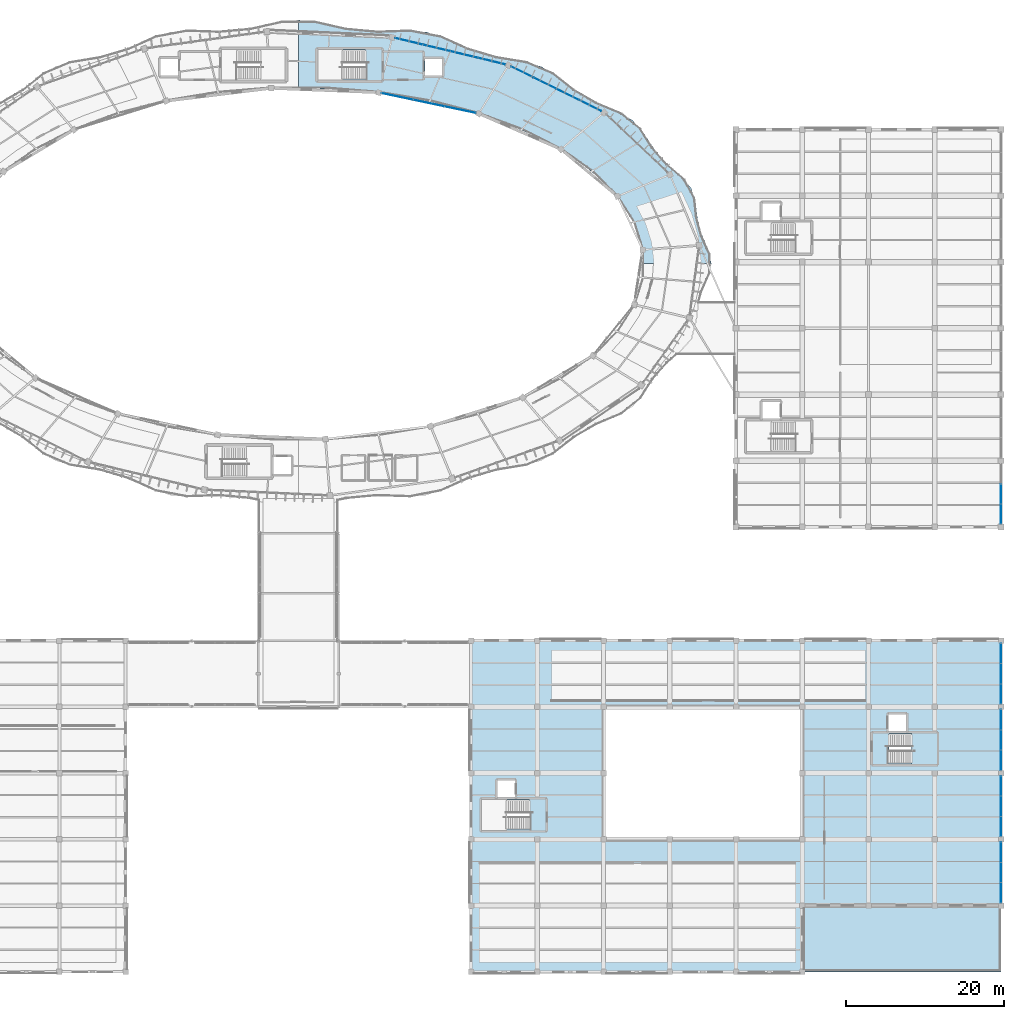
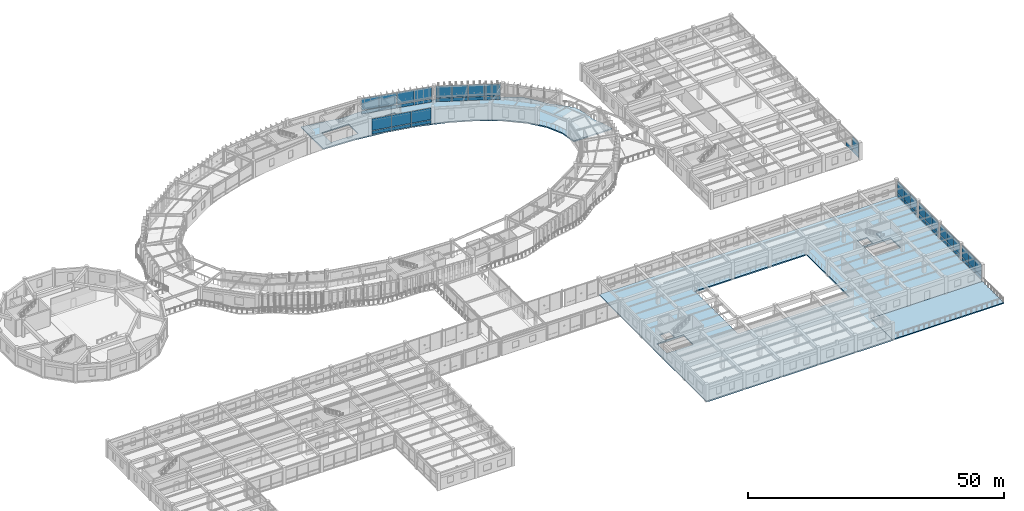
# One storey, part 115 of 152: 49 plates, 4 slabs, 9 elements without a shape of their own.
"""IFC4 building model written with IfcOpenShell, lengths in metres."""

from ifc_helpers import new_model, si_unit, direction, frame, origin, origin_2d, place, context, subcontext, project, spatial, polyline, rectangle, outline, extrude, material, layer, layer_set, type_object, element, aggregate, save


model = new_model("IFC4")

# Units and contexts
model_context = context("Model", 3, precision=1e-05, world=origin(), true_north=direction((0.0, 1.0)))
body_context = subcontext(model_context, "Body", "Model", "MODEL_VIEW")
ifc_project = project(units=[si_unit("LENGTHUNIT", "METRE"), si_unit("AREAUNIT", "SQUARE_METRE"), si_unit("VOLUMEUNIT", "CUBIC_METRE"), si_unit("PLANEANGLEUNIT", "RADIAN"), si_unit("MASSUNIT", "GRAM", prefix="KILO"), si_unit("THERMODYNAMICTEMPERATUREUNIT", "KELVIN"), si_unit("POWERUNIT", "WATT")], contexts=[model_context])

# Site, building, storey
site_placement = place(None, origin())
site = spatial("IfcSite", under=ifc_project, at=site_placement, CompositionType="ELEMENT")
building_placement = place(site_placement, origin())
building = spatial("IfcBuilding", under=site, at=building_placement, Name="Darbajah Civic Hall", CompositionType="ELEMENT")
storey_placement = place(building_placement, frame((0.0, 0.0, 5.39990234375)))
storey = spatial("IfcBuildingStorey", under=building, at=storey_placement, Name="L01", CompositionType="ELEMENT", Elevation=5.39990234375)

# Curtain wall, plates
ifc_material_1 = material(Name="Anodised Bronze Aluminium and Low-E Glazing", Category="aluminium")
curtain_wall_type_1 = type_object("IfcCurtainWallType", Name="Unitised Curtain Wall CW-20 12800x3900", PredefinedType="USERDEFINED", material=ifc_material_1)
curtain_wall_1_placement = place(storey_placement, origin())
curtain_wall_1 = element("IfcCurtainWall", 1, at=curtain_wall_1_placement, inside=storey, type_object=curtain_wall_type_1, Name="L01 unitised curtain wall CW-V1O-L01-02", ObjectType="UNITISED CURTAIN WALL", PredefinedType="USERDEFINED")
ifc_material_2 = material(Name="Low-E Solar Control Double Glazing", Category="glass")
ifc_layer_1 = layer(ifc_material_2, 0.02392578125, Name="Low-E Solar Control Double Glazing")
ifc_layer_set_1 = layer_set([ifc_layer_1], Name="Low-E Solar Control Double Glazing")
plate_type_1 = type_object("IfcPlateType", Name="Solar Double Glazing 24mm", PredefinedType="CURTAIN_PANEL", material=ifc_layer_set_1)
plate_1_placement = place(storey_placement, frame((126.110595703125, 109.833251953125, 0.10009765625), z_axis=(0.0, 0.0, 1.0), x_axis=(-0.89656374724, 0.442914717678, 0.0)))
plate_1 = element("IfcPlate", 2, at=plate_1_placement, type_object=plate_type_1, Name="CW-V1O-L01-02 glazed panel 1.1", PredefinedType="CURTAIN_PANEL", context=body_context, shape_type="SweptSolid", body=[
    extrude(rectangle(XDim=3.1298828125, YDim=0.02392578125, at=origin_2d()), origin(), (0.0, 0.0, 1.0), 0.800048828125),
])
plate_2_placement = place(storey_placement, frame((126.110595703125, 109.833251953125, 1.0), z_axis=(0.0, 0.0, 1.0), x_axis=(-0.89656374724, 0.442914717678, 0.0)))
plate_2 = element("IfcPlate", 3, at=plate_2_placement, type_object=plate_type_1, Name="CW-V1O-L01-02 glazed panel 1.2", PredefinedType="CURTAIN_PANEL", context=body_context, shape_type="SweptSolid", body=[
    extrude(rectangle(XDim=3.1298828125, YDim=0.02392578125, at=origin_2d()), origin(), (0.0, 0.0, 1.0), 2.820068359375),
])
plate_3_placement = place(storey_placement, frame((123.24609375, 111.248291015625, 0.10009765625), z_axis=(0.0, 0.0, 1.0), x_axis=(-0.89656374724, 0.442914717678, 0.0)))
plate_3 = element("IfcPlate", 4, at=plate_3_placement, type_object=plate_type_1, Name="CW-V1O-L01-02 glazed panel 2.1", PredefinedType="CURTAIN_PANEL", context=body_context, shape_type="SweptSolid", body=[
    extrude(rectangle(XDim=3.1298828125, YDim=0.02392578125, at=origin_2d()), origin(), (0.0, 0.0, 1.0), 0.800048828125),
])
plate_4_placement = place(storey_placement, frame((123.24609375, 111.248291015625, 1.0), z_axis=(0.0, 0.0, 1.0), x_axis=(-0.89656374724, 0.442914717678, 0.0)))
plate_4 = element("IfcPlate", 5, at=plate_4_placement, type_object=plate_type_1, Name="CW-V1O-L01-02 glazed panel 2.2", PredefinedType="CURTAIN_PANEL", context=body_context, shape_type="SweptSolid", body=[
    extrude(rectangle(XDim=3.1298828125, YDim=0.02392578125, at=origin_2d()), origin(), (0.0, 0.0, 1.0), 2.820068359375),
])
plate_5_placement = place(storey_placement, frame((120.3818359375, 112.663330078125, 0.10009765625), z_axis=(0.0, 0.0, 1.0), x_axis=(-0.89656374724, 0.442914717678, 0.0)))
plate_5 = element("IfcPlate", 6, at=plate_5_placement, type_object=plate_type_1, Name="CW-V1O-L01-02 glazed panel 3.1", PredefinedType="CURTAIN_PANEL", context=body_context, shape_type="SweptSolid", body=[
    extrude(rectangle(XDim=3.1298828125, YDim=0.02392578125, at=origin_2d()), origin(), (0.0, 0.0, 1.0), 0.800048828125),
])
plate_6_placement = place(storey_placement, frame((120.3818359375, 112.663330078125, 1.0), z_axis=(0.0, 0.0, 1.0), x_axis=(-0.89656374724, 0.442914717678, 0.0)))
plate_6 = element("IfcPlate", 7, at=plate_6_placement, type_object=plate_type_1, Name="CW-V1O-L01-02 glazed panel 3.2", PredefinedType="CURTAIN_PANEL", context=body_context, shape_type="SweptSolid", body=[
    extrude(rectangle(XDim=3.1298828125, YDim=0.02392578125, at=origin_2d()), origin(), (0.0, 0.0, 1.0), 2.820068359375),
])
plate_7_placement = place(storey_placement, frame((117.517578125, 114.078369140625, 0.10009765625), z_axis=(0.0, 0.0, 1.0), x_axis=(-0.89656374724, 0.442914717678, 0.0)))
plate_7 = element("IfcPlate", 8, at=plate_7_placement, type_object=plate_type_1, Name="CW-V1O-L01-02 glazed panel 4.1", PredefinedType="CURTAIN_PANEL", context=body_context, shape_type="SweptSolid", body=[
    extrude(rectangle(XDim=3.1298828125, YDim=0.02392578125, at=origin_2d()), origin(), (0.0, 0.0, 1.0), 0.800048828125),
])
plate_8_placement = place(storey_placement, frame((117.517578125, 114.078369140625, 1.0), z_axis=(0.0, 0.0, 1.0), x_axis=(-0.89656374724, 0.442914717678, 0.0)))
plate_8 = element("IfcPlate", 9, at=plate_8_placement, type_object=plate_type_1, Name="CW-V1O-L01-02 glazed panel 4.2", PredefinedType="CURTAIN_PANEL", context=body_context, shape_type="SweptSolid", body=[
    extrude(rectangle(XDim=3.1298828125, YDim=0.02392578125, at=origin_2d()), origin(), (0.0, 0.0, 1.0), 2.820068359375),
])
aggregate(curtain_wall_1, [plate_1, plate_2, plate_3, plate_4, plate_5, plate_6, plate_7, plate_8])

curtain_wall_type_2 = type_object("IfcCurtainWallType", Name="Unitised Curtain Wall CW-22 12200x3900", PredefinedType="USERDEFINED", material=ifc_material_1)
curtain_wall_2_placement = place(storey_placement, origin())
curtain_wall_2 = element("IfcCurtainWall", 10, at=curtain_wall_2_placement, inside=storey, type_object=curtain_wall_type_2, Name="L01 unitised curtain wall CW-V1I-L01-03", ObjectType="UNITISED CURTAIN WALL", PredefinedType="USERDEFINED")
ifc_layer_2 = layer(ifc_material_2, 0.028076171875, Name="Low-E Solar Control Double Glazing")
ifc_layer_set_2 = layer_set([ifc_layer_2], Name="Low-E Solar Control Double Glazing")
plate_type_2 = type_object("IfcPlateType", Name="Solar Double Glazing 28mm", PredefinedType="CURTAIN_PANEL", material=ifc_layer_set_2)
plate_9_placement = place(storey_placement, frame((109.645751953125, 109.30712890625, 0.1201171875), z_axis=(0.0, 0.0, 1.0), x_axis=(-0.978472980779, 0.206374964291, 0.0)))
plate_9 = element("IfcPlate", 11, at=plate_9_placement, type_object=plate_type_2, Name="CW-V1I-L01-03 glazed panel 1.1", PredefinedType="CURTAIN_PANEL", context=body_context, shape_type="SweptSolid", body=[
    extrude(rectangle(XDim=4.00830078125, YDim=0.028076171875, at=origin_2d()), origin(), (0.0, 0.0, 1.0), 0.77001953125),
])
plate_10_placement = place(storey_placement, frame((109.645751953125, 109.30712890625, 1.010009765625), z_axis=(0.0, 0.0, 1.0), x_axis=(-0.978472980779, 0.206374964291, 0.0)))
plate_10 = element("IfcPlate", 12, at=plate_10_placement, type_object=plate_type_2, Name="CW-V1I-L01-03 glazed panel 1.2", PredefinedType="CURTAIN_PANEL", context=body_context, shape_type="SweptSolid", body=[
    extrude(rectangle(XDim=4.00830078125, YDim=0.028076171875, at=origin_2d()), origin(), (0.0, 0.0, 1.0), 2.7900390625),
])
plate_11_placement = place(storey_placement, frame((105.6552734375, 110.148681640625, 0.1201171875), z_axis=(0.0, 0.0, 1.0), x_axis=(-0.978472980779, 0.206374964291, 0.0)))
plate_11 = element("IfcPlate", 13, at=plate_11_placement, type_object=plate_type_2, Name="CW-V1I-L01-03 glazed panel 2.1", PredefinedType="CURTAIN_PANEL", context=body_context, shape_type="SweptSolid", body=[
    extrude(rectangle(XDim=4.00830078125, YDim=0.028076171875, at=origin_2d()), origin(), (0.0, 0.0, 1.0), 0.77001953125),
])
plate_12_placement = place(storey_placement, frame((105.6552734375, 110.148681640625, 1.010009765625), z_axis=(0.0, 0.0, 1.0), x_axis=(-0.978472980779, 0.206374964291, 0.0)))
plate_12 = element("IfcPlate", 14, at=plate_12_placement, type_object=plate_type_2, Name="CW-V1I-L01-03 glazed panel 2.2", PredefinedType="CURTAIN_PANEL", context=body_context, shape_type="SweptSolid", body=[
    extrude(rectangle(XDim=4.00830078125, YDim=0.028076171875, at=origin_2d()), origin(), (0.0, 0.0, 1.0), 2.7900390625),
])
plate_13_placement = place(storey_placement, frame((101.66455078125, 110.990478515625, 0.1201171875), z_axis=(0.0, 0.0, 1.0), x_axis=(-0.978472980779, 0.206374964291, 0.0)))
plate_13 = element("IfcPlate", 15, at=plate_13_placement, type_object=plate_type_2, Name="CW-V1I-L01-03 glazed panel 3.1", PredefinedType="CURTAIN_PANEL", context=body_context, shape_type="SweptSolid", body=[
    extrude(rectangle(XDim=4.00830078125, YDim=0.028076171875, at=origin_2d()), origin(), (0.0, 0.0, 1.0), 0.77001953125),
])
plate_14_placement = place(storey_placement, frame((101.66455078125, 110.990478515625, 1.010009765625), z_axis=(0.0, 0.0, 1.0), x_axis=(-0.978472980779, 0.206374964291, 0.0)))
plate_14 = element("IfcPlate", 16, at=plate_14_placement, type_object=plate_type_2, Name="CW-V1I-L01-03 glazed panel 3.2", PredefinedType="CURTAIN_PANEL", context=body_context, shape_type="SweptSolid", body=[
    extrude(rectangle(XDim=4.00830078125, YDim=0.028076171875, at=origin_2d()), origin(), (0.0, 0.0, 1.0), 2.7900390625),
])
aggregate(curtain_wall_2, [plate_9, plate_10, plate_11, plate_12, plate_13, plate_14])

curtain_wall_type_3 = type_object("IfcCurtainWallType", Name="Unitised Curtain Wall CW-21 14400x3900", PredefinedType="USERDEFINED", material=ifc_material_1)
curtain_wall_3_placement = place(storey_placement, origin())
curtain_wall_3 = element("IfcCurtainWall", 17, at=curtain_wall_3_placement, inside=storey, type_object=curtain_wall_type_3, Name="L01 unitised curtain wall CW-V1O-L01-03", ObjectType="UNITISED CURTAIN WALL", PredefinedType="USERDEFINED")
ifc_layer_3 = layer(ifc_material_2, 0.031982421875, Name="Low-E Solar Control Double Glazing")
ifc_layer_set_3 = layer_set([ifc_layer_3], Name="Low-E Solar Control Double Glazing")
plate_type_3 = type_object("IfcPlateType", Name="Solar Double Glazing 32mm", PredefinedType="CURTAIN_PANEL", material=ifc_layer_set_3)
plate_15_placement = place(storey_placement, frame((113.629638671875, 115.460205078125, 0.14013671875), z_axis=(0.0, 0.0, 1.0), x_axis=(-0.972492018808, 0.232936200179, 0.0)))
plate_15 = element("IfcPlate", 18, at=plate_15_placement, type_object=plate_type_3, Name="CW-V1O-L01-03 glazed panel 1.1", PredefinedType="CURTAIN_PANEL", context=body_context, shape_type="SweptSolid", body=[
    extrude(rectangle(XDim=3.526123046875, YDim=0.031982421875, at=origin_2d()), origin(), (0.0, 0.0, 1.0), 0.739990234375),
])
plate_16_placement = place(storey_placement, frame((113.629638671875, 115.460205078125, 1.02001953125), z_axis=(0.0, 0.0, 1.0), x_axis=(-0.972492018808, 0.232936200179, 0.0)))
plate_16 = element("IfcPlate", 19, at=plate_16_placement, type_object=plate_type_3, Name="CW-V1O-L01-03 glazed panel 1.2", PredefinedType="CURTAIN_PANEL", context=body_context, shape_type="SweptSolid", body=[
    extrude(rectangle(XDim=3.526123046875, YDim=0.031982421875, at=origin_2d()), origin(), (0.0, 0.0, 1.0), 2.760009765625),
])
plate_17_placement = place(storey_placement, frame((110.127685546875, 116.29931640625, 0.14013671875), z_axis=(0.0, 0.0, 1.0), x_axis=(-0.972492018808, 0.232936200179, 0.0)))
plate_17 = element("IfcPlate", 20, at=plate_17_placement, type_object=plate_type_3, Name="CW-V1O-L01-03 glazed panel 2.1", PredefinedType="CURTAIN_PANEL", context=body_context, shape_type="SweptSolid", body=[
    extrude(rectangle(XDim=3.526123046875, YDim=0.031982421875, at=origin_2d()), origin(), (0.0, 0.0, 1.0), 0.739990234375),
])
plate_18_placement = place(storey_placement, frame((110.127685546875, 116.29931640625, 1.02001953125), z_axis=(0.0, 0.0, 1.0), x_axis=(-0.972492018808, 0.232936200179, 0.0)))
plate_18 = element("IfcPlate", 21, at=plate_18_placement, type_object=plate_type_3, Name="CW-V1O-L01-03 glazed panel 2.2", PredefinedType="CURTAIN_PANEL", context=body_context, shape_type="SweptSolid", body=[
    extrude(rectangle(XDim=3.526123046875, YDim=0.031982421875, at=origin_2d()), origin(), (0.0, 0.0, 1.0), 2.760009765625),
])
plate_19_placement = place(storey_placement, frame((106.62548828125, 117.138427734375, 0.14013671875), z_axis=(0.0, 0.0, 1.0), x_axis=(-0.972492018808, 0.232936200179, 0.0)))
plate_19 = element("IfcPlate", 22, at=plate_19_placement, type_object=plate_type_3, Name="CW-V1O-L01-03 glazed panel 3.1", PredefinedType="CURTAIN_PANEL", context=body_context, shape_type="SweptSolid", body=[
    extrude(rectangle(XDim=3.526123046875, YDim=0.031982421875, at=origin_2d()), origin(), (0.0, 0.0, 1.0), 0.739990234375),
])
plate_20_placement = place(storey_placement, frame((106.62548828125, 117.138427734375, 1.02001953125), z_axis=(0.0, 0.0, 1.0), x_axis=(-0.972492018808, 0.232936200179, 0.0)))
plate_20 = element("IfcPlate", 23, at=plate_20_placement, type_object=plate_type_3, Name="CW-V1O-L01-03 glazed panel 3.2", PredefinedType="CURTAIN_PANEL", context=body_context, shape_type="SweptSolid", body=[
    extrude(rectangle(XDim=3.526123046875, YDim=0.031982421875, at=origin_2d()), origin(), (0.0, 0.0, 1.0), 2.760009765625),
])
plate_21_placement = place(storey_placement, frame((103.123291015625, 117.9775390625, 0.14013671875), z_axis=(0.0, 0.0, 1.0), x_axis=(-0.972492018808, 0.232936200179, 0.0)))
plate_21 = element("IfcPlate", 24, at=plate_21_placement, type_object=plate_type_3, Name="CW-V1O-L01-03 glazed panel 4.1", PredefinedType="CURTAIN_PANEL", context=body_context, shape_type="SweptSolid", body=[
    extrude(rectangle(XDim=3.526123046875, YDim=0.031982421875, at=origin_2d()), origin(), (0.0, 0.0, 1.0), 0.739990234375),
])
plate_22_placement = place(storey_placement, frame((103.123291015625, 117.9775390625, 1.02001953125), z_axis=(0.0, 0.0, 1.0), x_axis=(-0.972492018808, 0.232936200179, 0.0)))
plate_22 = element("IfcPlate", 25, at=plate_22_placement, type_object=plate_type_3, Name="CW-V1O-L01-03 glazed panel 4.2", PredefinedType="CURTAIN_PANEL", context=body_context, shape_type="SweptSolid", body=[
    extrude(rectangle(XDim=3.526123046875, YDim=0.031982421875, at=origin_2d()), origin(), (0.0, 0.0, 1.0), 2.760009765625),
])
aggregate(curtain_wall_3, [plate_15, plate_16, plate_17, plate_18, plate_19, plate_20, plate_21, plate_22])

curtain_wall_type_4 = type_object("IfcCurtainWallType", Name="Unitised Curtain Wall CW-52 7700x3900", PredefinedType="USERDEFINED", material=ifc_material_1)
curtain_wall_4_placement = place(storey_placement, origin())
curtain_wall_4 = element("IfcCurtainWall", 26, at=curtain_wall_4_placement, inside=storey, type_object=curtain_wall_type_4, Name="L01 unitised curtain wall CW-V3-L01-S3-B0", ObjectType="UNITISED CURTAIN WALL", PredefinedType="USERDEFINED")
plate_23_placement = place(storey_placement, frame((178.199951171875, 10.03466796875, 0.1201171875), z_axis=(0.0, 0.0, 1.0), x_axis=(0.0, 1.0, 0.0)))
plate_23 = element("IfcPlate", 27, at=plate_23_placement, type_object=plate_type_3, Name="CW-V3-L01-S3-B0 glazed panel 1.1", PredefinedType="CURTAIN_PANEL", context=body_context, shape_type="SweptSolid", body=[
    extrude(rectangle(XDim=2.495361328125, YDim=0.031982421875, at=origin_2d()), origin(), (0.0, 0.0, 1.0), 0.77001953125),
])
plate_24_placement = place(storey_placement, frame((178.199951171875, 10.03466796875, 1.010009765625), z_axis=(0.0, 0.0, 1.0), x_axis=(0.0, 1.0, 0.0)))
plate_24 = element("IfcPlate", 28, at=plate_24_placement, type_object=plate_type_3, Name="CW-V3-L01-S3-B0 glazed panel 1.2", PredefinedType="CURTAIN_PANEL", context=body_context, shape_type="SweptSolid", body=[
    extrude(rectangle(XDim=2.495361328125, YDim=0.031982421875, at=origin_2d()), origin(), (0.0, 0.0, 1.0), 2.77001953125),
])
plate_25_placement = place(storey_placement, frame((178.199951171875, 12.60009765625, 0.1201171875), z_axis=(0.0, 0.0, 1.0), x_axis=(0.0, 1.0, 0.0)))
plate_25 = element("IfcPlate", 29, at=plate_25_placement, type_object=plate_type_3, Name="CW-V3-L01-S3-B0 glazed panel 2.1", PredefinedType="CURTAIN_PANEL", context=body_context, shape_type="SweptSolid", body=[
    extrude(rectangle(XDim=2.495361328125, YDim=0.031982421875, at=origin_2d()), origin(), (0.0, 0.0, 1.0), 0.77001953125),
])
plate_26_placement = place(storey_placement, frame((178.199951171875, 12.60009765625, 1.010009765625), z_axis=(0.0, 0.0, 1.0), x_axis=(0.0, 1.0, 0.0)))
plate_26 = element("IfcPlate", 30, at=plate_26_placement, type_object=plate_type_3, Name="CW-V3-L01-S3-B0 glazed panel 2.2", PredefinedType="CURTAIN_PANEL", context=body_context, shape_type="SweptSolid", body=[
    extrude(rectangle(XDim=2.495361328125, YDim=0.031982421875, at=origin_2d()), origin(), (0.0, 0.0, 1.0), 2.77001953125),
])
plate_27_placement = place(storey_placement, frame((178.199951171875, 15.165283203125, 0.1201171875), z_axis=(0.0, 0.0, 1.0), x_axis=(0.0, 1.0, 0.0)))
plate_27 = element("IfcPlate", 31, at=plate_27_placement, type_object=plate_type_3, Name="CW-V3-L01-S3-B0 glazed panel 3.1", PredefinedType="CURTAIN_PANEL", context=body_context, shape_type="SweptSolid", body=[
    extrude(rectangle(XDim=2.495361328125, YDim=0.031982421875, at=origin_2d()), origin(), (0.0, 0.0, 1.0), 0.77001953125),
])
plate_28_placement = place(storey_placement, frame((178.199951171875, 15.165283203125, 1.010009765625), z_axis=(0.0, 0.0, 1.0), x_axis=(0.0, 1.0, 0.0)))
plate_28 = element("IfcPlate", 32, at=plate_28_placement, type_object=plate_type_3, Name="CW-V3-L01-S3-B0 glazed panel 3.2", PredefinedType="CURTAIN_PANEL", context=body_context, shape_type="SweptSolid", body=[
    extrude(rectangle(XDim=2.495361328125, YDim=0.031982421875, at=origin_2d()), origin(), (0.0, 0.0, 1.0), 2.77001953125),
])
aggregate(curtain_wall_4, [plate_23, plate_24, plate_25, plate_26, plate_27, plate_28])

curtain_wall_5_placement = place(storey_placement, origin())
curtain_wall_5 = element("IfcCurtainWall", 33, at=curtain_wall_5_placement, inside=storey, type_object=curtain_wall_type_4, Name="L01 unitised curtain wall CW-V3-L01-S3-B1", ObjectType="UNITISED CURTAIN WALL", PredefinedType="USERDEFINED")
plate_29_placement = place(storey_placement, frame((178.199951171875, 18.434814453125, 0.1201171875), z_axis=(0.0, 0.0, 1.0), x_axis=(0.0, 1.0, 0.0)))
plate_29 = element("IfcPlate", 34, at=plate_29_placement, type_object=plate_type_3, Name="CW-V3-L01-S3-B1 glazed panel 1.1", PredefinedType="CURTAIN_PANEL", context=body_context, shape_type="SweptSolid", body=[
    extrude(rectangle(XDim=2.495361328125, YDim=0.031982421875, at=origin_2d()), origin(), (0.0, 0.0, 1.0), 0.77001953125),
])
plate_30_placement = place(storey_placement, frame((178.199951171875, 18.434814453125, 1.010009765625), z_axis=(0.0, 0.0, 1.0), x_axis=(0.0, 1.0, 0.0)))
plate_30 = element("IfcPlate", 35, at=plate_30_placement, type_object=plate_type_3, Name="CW-V3-L01-S3-B1 glazed panel 1.2", PredefinedType="CURTAIN_PANEL", context=body_context, shape_type="SweptSolid", body=[
    extrude(rectangle(XDim=2.495361328125, YDim=0.031982421875, at=origin_2d()), origin(), (0.0, 0.0, 1.0), 2.77001953125),
])
plate_31_placement = place(storey_placement, frame((178.199951171875, 21.0, 0.1201171875), z_axis=(0.0, 0.0, 1.0), x_axis=(0.0, 1.0, 0.0)))
plate_31 = element("IfcPlate", 36, at=plate_31_placement, type_object=plate_type_3, Name="CW-V3-L01-S3-B1 glazed panel 2.1", PredefinedType="CURTAIN_PANEL", context=body_context, shape_type="SweptSolid", body=[
    extrude(rectangle(XDim=2.495361328125, YDim=0.031982421875, at=origin_2d()), origin(), (0.0, 0.0, 1.0), 0.77001953125),
])
plate_32_placement = place(storey_placement, frame((178.199951171875, 21.0, 1.010009765625), z_axis=(0.0, 0.0, 1.0), x_axis=(0.0, 1.0, 0.0)))
plate_32 = element("IfcPlate", 37, at=plate_32_placement, type_object=plate_type_3, Name="CW-V3-L01-S3-B1 glazed panel 2.2", PredefinedType="CURTAIN_PANEL", context=body_context, shape_type="SweptSolid", body=[
    extrude(rectangle(XDim=2.495361328125, YDim=0.031982421875, at=origin_2d()), origin(), (0.0, 0.0, 1.0), 2.77001953125),
])
plate_33_placement = place(storey_placement, frame((178.199951171875, 23.565185546875, 0.1201171875), z_axis=(0.0, 0.0, 1.0), x_axis=(0.0, 1.0, 0.0)))
plate_33 = element("IfcPlate", 38, at=plate_33_placement, type_object=plate_type_3, Name="CW-V3-L01-S3-B1 glazed panel 3.1", PredefinedType="CURTAIN_PANEL", context=body_context, shape_type="SweptSolid", body=[
    extrude(rectangle(XDim=2.495361328125, YDim=0.031982421875, at=origin_2d()), origin(), (0.0, 0.0, 1.0), 0.77001953125),
])
plate_34_placement = place(storey_placement, frame((178.199951171875, 23.565185546875, 1.010009765625), z_axis=(0.0, 0.0, 1.0), x_axis=(0.0, 1.0, 0.0)))
plate_34 = element("IfcPlate", 39, at=plate_34_placement, type_object=plate_type_3, Name="CW-V3-L01-S3-B1 glazed panel 3.2", PredefinedType="CURTAIN_PANEL", context=body_context, shape_type="SweptSolid", body=[
    extrude(rectangle(XDim=2.495361328125, YDim=0.031982421875, at=origin_2d()), origin(), (0.0, 0.0, 1.0), 2.77001953125),
])
aggregate(curtain_wall_5, [plate_29, plate_30, plate_31, plate_32, plate_33, plate_34])

curtain_wall_6_placement = place(storey_placement, origin())
curtain_wall_6 = element("IfcCurtainWall", 40, at=curtain_wall_6_placement, inside=storey, type_object=curtain_wall_type_4, Name="L01 unitised curtain wall CW-V3-L01-S3-B2", ObjectType="UNITISED CURTAIN WALL", PredefinedType="USERDEFINED")
plate_35_placement = place(storey_placement, frame((178.199951171875, 26.834716796875, 0.1201171875), z_axis=(0.0, 0.0, 1.0), x_axis=(0.0, 1.0, 0.0)))
plate_35 = element("IfcPlate", 41, at=plate_35_placement, type_object=plate_type_3, Name="CW-V3-L01-S3-B2 glazed panel 1.1", PredefinedType="CURTAIN_PANEL", context=body_context, shape_type="SweptSolid", body=[
    extrude(rectangle(XDim=2.495361328125, YDim=0.031982421875, at=origin_2d()), origin(), (0.0, 0.0, 1.0), 0.77001953125),
])
plate_36_placement = place(storey_placement, frame((178.199951171875, 26.834716796875, 1.010009765625), z_axis=(0.0, 0.0, 1.0), x_axis=(0.0, 1.0, 0.0)))
plate_36 = element("IfcPlate", 42, at=plate_36_placement, type_object=plate_type_3, Name="CW-V3-L01-S3-B2 glazed panel 1.2", PredefinedType="CURTAIN_PANEL", context=body_context, shape_type="SweptSolid", body=[
    extrude(rectangle(XDim=2.495361328125, YDim=0.031982421875, at=origin_2d()), origin(), (0.0, 0.0, 1.0), 2.77001953125),
])
plate_37_placement = place(storey_placement, frame((178.199951171875, 29.39990234375, 0.1201171875), z_axis=(0.0, 0.0, 1.0), x_axis=(0.0, 1.0, 0.0)))
plate_37 = element("IfcPlate", 43, at=plate_37_placement, type_object=plate_type_3, Name="CW-V3-L01-S3-B2 glazed panel 2.1", PredefinedType="CURTAIN_PANEL", context=body_context, shape_type="SweptSolid", body=[
    extrude(rectangle(XDim=2.495361328125, YDim=0.031982421875, at=origin_2d()), origin(), (0.0, 0.0, 1.0), 0.77001953125),
])
plate_38_placement = place(storey_placement, frame((178.199951171875, 29.39990234375, 1.010009765625), z_axis=(0.0, 0.0, 1.0), x_axis=(0.0, 1.0, 0.0)))
plate_38 = element("IfcPlate", 44, at=plate_38_placement, type_object=plate_type_3, Name="CW-V3-L01-S3-B2 glazed panel 2.2", PredefinedType="CURTAIN_PANEL", context=body_context, shape_type="SweptSolid", body=[
    extrude(rectangle(XDim=2.495361328125, YDim=0.031982421875, at=origin_2d()), origin(), (0.0, 0.0, 1.0), 2.77001953125),
])
plate_39_placement = place(storey_placement, frame((178.199951171875, 31.96533203125, 0.1201171875), z_axis=(0.0, 0.0, 1.0), x_axis=(0.0, 1.0, 0.0)))
plate_39 = element("IfcPlate", 45, at=plate_39_placement, type_object=plate_type_3, Name="CW-V3-L01-S3-B2 glazed panel 3.1", PredefinedType="CURTAIN_PANEL", context=body_context, shape_type="SweptSolid", body=[
    extrude(rectangle(XDim=2.495361328125, YDim=0.031982421875, at=origin_2d()), origin(), (0.0, 0.0, 1.0), 0.77001953125),
])
plate_40_placement = place(storey_placement, frame((178.199951171875, 31.96533203125, 1.010009765625), z_axis=(0.0, 0.0, 1.0), x_axis=(0.0, 1.0, 0.0)))
plate_40 = element("IfcPlate", 46, at=plate_40_placement, type_object=plate_type_3, Name="CW-V3-L01-S3-B2 glazed panel 3.2", PredefinedType="CURTAIN_PANEL", context=body_context, shape_type="SweptSolid", body=[
    extrude(rectangle(XDim=2.495361328125, YDim=0.031982421875, at=origin_2d()), origin(), (0.0, 0.0, 1.0), 2.77001953125),
])
aggregate(curtain_wall_6, [plate_35, plate_36, plate_37, plate_38, plate_39, plate_40])

curtain_wall_7_placement = place(storey_placement, origin())
curtain_wall_7 = element("IfcCurtainWall", 47, at=curtain_wall_7_placement, inside=storey, type_object=curtain_wall_type_4, Name="L01 unitised curtain wall CW-V3-L01-S3-B3", ObjectType="UNITISED CURTAIN WALL", PredefinedType="USERDEFINED")
plate_41_placement = place(storey_placement, frame((178.199951171875, 35.234619140625, 0.1201171875), z_axis=(0.0, 0.0, 1.0), x_axis=(0.0, 1.0, 0.0)))
plate_41 = element("IfcPlate", 48, at=plate_41_placement, type_object=plate_type_3, Name="CW-V3-L01-S3-B3 glazed panel 1.1", PredefinedType="CURTAIN_PANEL", context=body_context, shape_type="SweptSolid", body=[
    extrude(rectangle(XDim=2.495361328125, YDim=0.031982421875, at=origin_2d()), origin(), (0.0, 0.0, 1.0), 0.77001953125),
])
plate_42_placement = place(storey_placement, frame((178.199951171875, 35.234619140625, 1.010009765625), z_axis=(0.0, 0.0, 1.0), x_axis=(0.0, 1.0, 0.0)))
plate_42 = element("IfcPlate", 49, at=plate_42_placement, type_object=plate_type_3, Name="CW-V3-L01-S3-B3 glazed panel 1.2", PredefinedType="CURTAIN_PANEL", context=body_context, shape_type="SweptSolid", body=[
    extrude(rectangle(XDim=2.495361328125, YDim=0.031982421875, at=origin_2d()), origin(), (0.0, 0.0, 1.0), 2.77001953125),
])
plate_43_placement = place(storey_placement, frame((178.199951171875, 37.800048828125, 0.1201171875), z_axis=(0.0, 0.0, 1.0), x_axis=(0.0, 1.0, 0.0)))
plate_43 = element("IfcPlate", 50, at=plate_43_placement, type_object=plate_type_3, Name="CW-V3-L01-S3-B3 glazed panel 2.1", PredefinedType="CURTAIN_PANEL", context=body_context, shape_type="SweptSolid", body=[
    extrude(rectangle(XDim=2.495361328125, YDim=0.031982421875, at=origin_2d()), origin(), (0.0, 0.0, 1.0), 0.77001953125),
])
plate_44_placement = place(storey_placement, frame((178.199951171875, 37.800048828125, 1.010009765625), z_axis=(0.0, 0.0, 1.0), x_axis=(0.0, 1.0, 0.0)))
plate_44 = element("IfcPlate", 51, at=plate_44_placement, type_object=plate_type_3, Name="CW-V3-L01-S3-B3 glazed panel 2.2", PredefinedType="CURTAIN_PANEL", context=body_context, shape_type="SweptSolid", body=[
    extrude(rectangle(XDim=2.495361328125, YDim=0.031982421875, at=origin_2d()), origin(), (0.0, 0.0, 1.0), 2.77001953125),
])
plate_45_placement = place(storey_placement, frame((178.199951171875, 40.365234375, 0.1201171875), z_axis=(0.0, 0.0, 1.0), x_axis=(0.0, 1.0, 0.0)))
plate_45 = element("IfcPlate", 52, at=plate_45_placement, type_object=plate_type_3, Name="CW-V3-L01-S3-B3 glazed panel 3.1", PredefinedType="CURTAIN_PANEL", context=body_context, shape_type="SweptSolid", body=[
    extrude(rectangle(XDim=2.495361328125, YDim=0.031982421875, at=origin_2d()), origin(), (0.0, 0.0, 1.0), 0.77001953125),
])
plate_46_placement = place(storey_placement, frame((178.199951171875, 40.365234375, 1.010009765625), z_axis=(0.0, 0.0, 1.0), x_axis=(0.0, 1.0, 0.0)))
plate_46 = element("IfcPlate", 53, at=plate_46_placement, type_object=plate_type_3, Name="CW-V3-L01-S3-B3 glazed panel 3.2", PredefinedType="CURTAIN_PANEL", context=body_context, shape_type="SweptSolid", body=[
    extrude(rectangle(XDim=2.495361328125, YDim=0.031982421875, at=origin_2d()), origin(), (0.0, 0.0, 1.0), 2.77001953125),
])
aggregate(curtain_wall_7, [plate_41, plate_42, plate_43, plate_44, plate_45, plate_46])

curtain_wall_type_5 = type_object("IfcCurtainWallType", Name="Unitised Curtain Wall CW-96 7600x3850", PredefinedType="USERDEFINED", material=ifc_material_1)
curtain_wall_8_placement = place(storey_placement, origin())
curtain_wall_8 = element("IfcCurtainWall", 54, at=curtain_wall_8_placement, inside=storey, type_object=curtain_wall_type_5, Name="L01 unitised curtain wall CW-V4-L01-S1-B0", ObjectType="UNITISED CURTAIN WALL", PredefinedType="USERDEFINED")
plate_47_placement = place(storey_placement, frame((178.199951171875, 58.05126953125, 0.1201171875), z_axis=(0.0, 0.0, 1.0), x_axis=(0.0, 1.0, 0.0)))
plate_47 = element("IfcPlate", 55, at=plate_47_placement, type_object=plate_type_3, Name="CW-V4-L01-S1-B0 glazed panel 1.1", PredefinedType="CURTAIN_PANEL", context=body_context, shape_type="SweptSolid", body=[
    extrude(rectangle(XDim=2.478759765625, YDim=0.031982421875, at=origin_2d()), origin(), (0.0, 0.0, 1.0), 0.77001953125),
])
plate_48_placement = place(storey_placement, frame((178.199951171875, 58.05126953125, 1.010009765625), z_axis=(0.0, 0.0, 1.0), x_axis=(0.0, 1.0, 0.0)))
plate_48 = element("IfcPlate", 56, at=plate_48_placement, type_object=plate_type_3, Name="CW-V4-L01-S1-B0 glazed panel 1.2", PredefinedType="CURTAIN_PANEL", context=body_context, shape_type="SweptSolid", body=[
    extrude(rectangle(XDim=2.478759765625, YDim=0.031982421875, at=origin_2d()), origin(), (0.0, 0.0, 1.0), 2.72998046875),
])
plate_49_placement = place(storey_placement, frame((178.199951171875, 60.60009765625, 0.1201171875), z_axis=(0.0, 0.0, 1.0), x_axis=(0.0, 1.0, 0.0)))
plate_49 = element("IfcPlate", 57, at=plate_49_placement, type_object=plate_type_3, Name="CW-V4-L01-S1-B0 glazed panel 2.1", PredefinedType="CURTAIN_PANEL", context=body_context, shape_type="SweptSolid", body=[
    extrude(rectangle(XDim=2.478759765625, YDim=0.031982421875, at=origin_2d()), origin(), (0.0, 0.0, 1.0), 0.77001953125),
])
aggregate(curtain_wall_8, [plate_47, plate_48, plate_49])

# Stair, slab
ifc_material_3 = material(Name="Concrete C45/55", Category="concrete")
stair_type = type_object("IfcStairType", Name="Half Turn Stair 1650x4200", PredefinedType="HALF_TURN_STAIR", material=ifc_material_3)
stair_placement = place(storey_placement, origin())
stair = element("IfcStair", 58, at=stair_placement, inside=storey, type_object=stair_type, Name="L01 enclosed exit stair ST07", PredefinedType="HALF_TURN_STAIR")
ifc_layer_4 = layer(ifc_material_3, 0.199951171875, Name="Concrete C45/55")
ifc_layer_set_4 = layer_set([ifc_layer_4], Name="Concrete C45/55")
slab_type_1 = type_object("IfcSlabType", Name="Stair Landing Slab 200mm", PredefinedType="LANDING", material=ifc_layer_set_4)
slab_1_placement = place(storey_placement, frame((0.0, 0.0, 1.900146484375)))
slab_1 = element("IfcSlab", 59, at=slab_1_placement, type_object=slab_type_1, Name="ST07 L01 half-landing", PredefinedType="LANDING", context=body_context, shape_type="SweptSolid", body=[
    extrude(outline(polyline([(166.840087890625, 26.199951171875), (170.199951171875, 26.199951171875), (170.199951171875, 30.39990234375), (166.840087890625, 30.39990234375), (166.840087890625, 26.199951171875)])), origin(), (0.0, 0.0, 1.0), 0.199951171875),
])
aggregate(stair, [slab_1])

# Slabs
ifc_layer_5 = layer(ifc_material_3, 0.280029296875, Name="Concrete C45/55")
ifc_layer_set_5 = layer_set([ifc_layer_5], Name="Concrete C45/55")
slab_type_2 = type_object("IfcSlabType", Name="Structural Floor Slab 280mm", PredefinedType="FLOOR", material=ifc_layer_set_5)
slab_2_placement = place(storey_placement, frame((0.0, 0.0, -0.27978515625)))
element("IfcSlab", 60, at=slab_2_placement, inside=storey, type_object=slab_type_2, Name="L01 Oval Administration Ring NE floor slab", PredefinedType="FLOOR", context=body_context, shape_type="SweptSolid", body=[
    extrude(outline(polyline([(141.487060546875, 89.800048828125), (140.820068359375, 92.18359375), (139.840576171875, 94.47314453125), (139.546630859375, 96.89208984375), (138.923095703125, 99.344482421875), (137.031005859375, 101.42578125), (134.873779296875, 103.362060546875), (133.3349609375, 105.673583984375), (131.48193359375, 107.954833984375), (128.5498046875, 109.5302734375), (125.42626953125, 110.92333984375), (122.79345703125, 112.901123046875), (119.892333984375, 114.7880859375), (116.207275390625, 115.703125), (112.4228515625, 116.4169921875), (108.95361328125, 117.867431640625), (105.28857421875, 119.17529296875), (101.211181640625, 119.340576171875), (97.136474609375, 119.30517578125), (93.17041015625, 120.086181640625), (89.10009765625, 120.68701171875), (89.10009765625, 112.080078125), (95.94873046875, 111.8056640625), (102.62890625, 110.989501953125), (108.9755859375, 109.651611328125), (114.833251953125, 107.824951171875), (120.05712890625, 105.55419921875), (124.518798828125, 102.89599609375), (128.1083984375, 99.914794921875), (130.7373046875, 96.684814453125), (132.341064453125, 93.285400390625), (132.8798828125, 89.800048828125), (141.487060546875, 89.800048828125)]), holes=[polyline([(91.5400390625, 116.8798828125), (97.6201171875, 116.8798828125), (97.6201171875, 113.1201171875), (91.5400390625, 113.1201171875), (91.5400390625, 116.8798828125)]), polyline([(105.14990234375, 115.75), (107.35009765625, 115.75), (107.35009765625, 113.64990234375), (105.14990234375, 113.64990234375), (105.14990234375, 115.75)])]), origin(), (0.0, 0.0, 1.0), 0.27978515625),
])
ifc_layer_6 = layer(ifc_material_3, 0.300048828125, Name="Concrete C45/55")
ifc_layer_set_6 = layer_set([ifc_layer_6], Name="Concrete C45/55")
slab_type_3 = type_object("IfcSlabType", Name="Structural Floor Slab 300mm", PredefinedType="FLOOR", material=ifc_layer_set_6)
slab_3_placement = place(storey_placement, frame((0.0, 0.0, -0.2998046875)))
element("IfcSlab", 61, at=slab_3_placement, inside=storey, type_object=slab_type_3, Name="L01 Public Hall and Citizens Service floor slab", PredefinedType="FLOOR", context=body_context, shape_type="SweptSolid", body=[
    extrude(outline(polyline([(111.0, 0.0), (153.0, 0.0), (153.0, 8.39990234375), (178.199951171875, 8.39990234375), (178.199951171875, 42.0), (111.0, 42.0), (111.0, 0.0)]), holes=[polyline([(112.340087890625, 21.780029296875), (118.419921875, 21.780029296875), (118.419921875, 18.02001953125), (112.340087890625, 18.02001953125), (112.340087890625, 21.780029296875)]), polyline([(114.35009765625, 24.25), (116.550048828125, 24.25), (116.550048828125, 22.14990234375), (114.35009765625, 22.14990234375), (114.35009765625, 24.25)]), polyline([(163.97998046875, 30.179931640625), (170.06005859375, 30.179931640625), (170.06005859375, 26.419921875), (163.97998046875, 26.419921875), (163.97998046875, 30.179931640625)]), polyline([(163.949951171875, 32.64990234375), (166.14990234375, 32.64990234375), (166.14990234375, 30.550048828125), (163.949951171875, 30.550048828125), (163.949951171875, 32.64990234375)]), polyline([(127.800048828125, 33.60009765625), (153.0, 33.60009765625), (153.0, 16.800048828125), (127.800048828125, 16.800048828125), (127.800048828125, 33.60009765625)])]), origin(), (0.0, 0.0, 1.0), 0.2998046875),
])
ifc_layer_7 = layer(ifc_material_3, 0.25, Name="Concrete C45/55")
ifc_layer_set_7 = layer_set([ifc_layer_7], Name="Concrete C45/55")
slab_type_4 = type_object("IfcSlabType", Name="Walkable Terrace Slab 250mm", PredefinedType="FLOOR", material=ifc_layer_set_7)
slab_4_placement = place(storey_placement, frame((0.0, 0.0, -0.25)))
element("IfcSlab", 62, at=slab_4_placement, inside=storey, type_object=slab_type_4, Name="L01 Maidan Ceremonial Terrace slab", PredefinedType="FLOOR", context=body_context, shape_type="SweptSolid", body=[
    extrude(outline(polyline([(153.0, 0.0), (178.199951171875, 0.0), (178.199951171875, 8.39990234375), (153.0, 8.39990234375), (153.0, 0.0)])), origin(), (0.0, 0.0, 1.0), 0.25),
])

save(model, "model.ifc")
